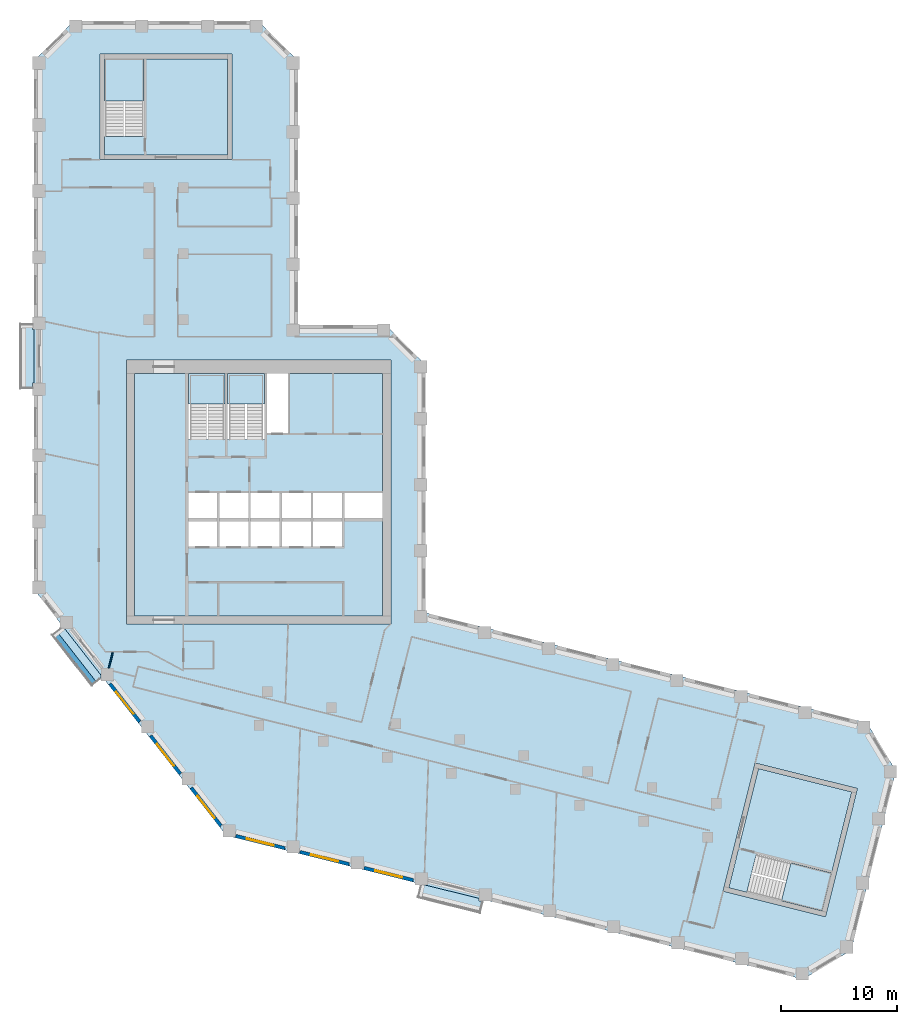
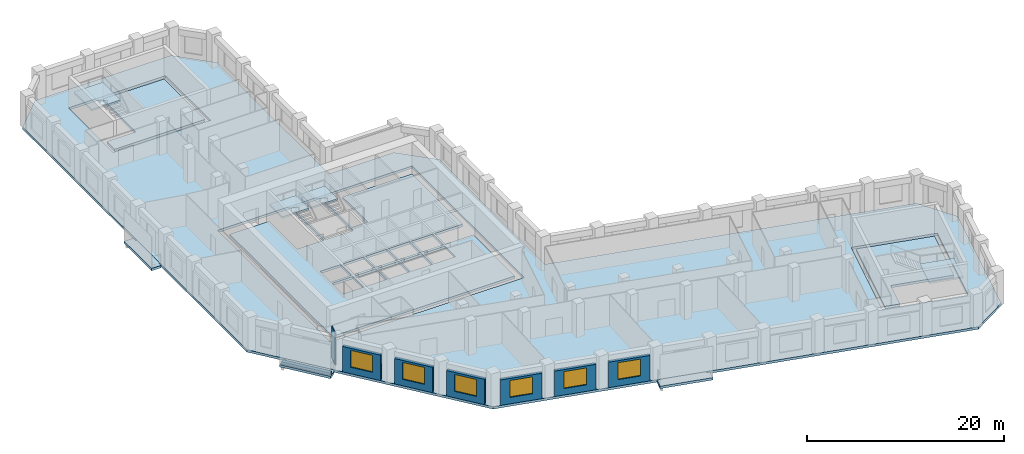
# One storey, part 2 of 10: 11 slabs, 8 walls, 6 windows, 6 openings, 4 elements without a shape of their own.
"""IFC4 building model written with IfcOpenShell, lengths in metres."""

from ifc_helpers import new_model, si_unit, direction, frame, frame_2d, origin, place, context, subcontext, project, spatial, polyline, rectangle, outline, extrude, material, layer, layer_set, type_object, element, fill, aggregate, save


model = new_model("IFC4")

# Units and contexts
model_context = context("Model", 3, precision=1e-05, world=origin(), true_north=direction((0.0, 1.0)))
body_context = subcontext(model_context, "Body", "Model", "MODEL_VIEW")
ifc_project = project(units=[si_unit("LENGTHUNIT", "METRE"), si_unit("AREAUNIT", "SQUARE_METRE"), si_unit("VOLUMEUNIT", "CUBIC_METRE"), si_unit("PLANEANGLEUNIT", "RADIAN"), si_unit("MASSUNIT", "GRAM", prefix="KILO")], contexts=[model_context])

# Site, building, storey
site_placement = place(None, origin())
site = spatial("IfcSite", under=ifc_project, at=site_placement, CompositionType="ELEMENT")
building_placement = place(site_placement, origin())
building = spatial("IfcBuilding", under=site, at=building_placement, Name="Meshkara Civic Tower", CompositionType="ELEMENT")
storey_placement = place(building_placement, frame((0.0, 0.0, 255.0)))
storey = spatial("IfcBuildingStorey", under=building, at=storey_placement, Name="L58", CompositionType="ELEMENT", Elevation=255.0)

# Slabs
ifc_material_1 = material(Name="Concrete C40", Category="concrete")
ifc_layer_1 = layer(ifc_material_1, 0.300048828125)
ifc_layer_set_1 = layer_set([ifc_layer_1], Name="BALCONY SLAB")
slab_type_1 = type_object("IfcSlabType", Name="BALCONY SLAB", PredefinedType="FLOOR", material=ifc_layer_set_1)
slab_1_placement = place(storey_placement, frame((0.0, 0.0, -0.300048828125)))
element("IfcSlab", 1, at=slab_1_placement, inside=storey, type_object=slab_type_1, Name="Balcony slab", PredefinedType="FLOOR", context=body_context, shape_type="SweptSolid", body=[
    extrude(outline(polyline([(-1.199951171875, 34.4150390625), (-1.199951171875, 39.9951171875), (-0.10009765625, 39.9951171875), (-0.10009765625, 39.5048828125), (0.0, 39.5048828125), (0.0, 34.905029296875), (-0.10009765625, 34.905029296875), (-0.10009765625, 34.4150390625), (-1.199951171875, 34.4150390625)])), origin(), (0.0, 0.0, 1.0), 0.300048828125),
])
slab_2_placement = place(storey_placement, frame((0.0, 0.0, -0.300048828125)))
element("IfcSlab", 2, at=slab_2_placement, inside=storey, type_object=slab_type_1, Name="Balcony slab", PredefinedType="FLOOR", context=body_context, shape_type="SweptSolid", body=[
    extrude(outline(polyline([(4.986083984375, 8.76904296875), (1.551025390625, 13.166015625), (2.263916015625, 13.722900390625), (2.263916015625, 13.678955078125), (2.673095703125, 13.678955078125), (5.77294921875, 9.7109375), (5.77294921875, 9.383056640625), (4.986083984375, 8.76904296875)])), origin(), (0.0, 0.0, 1.0), 0.300048828125),
])
slab_3_placement = place(storey_placement, frame((0.0, 0.0, -0.300048828125)))
element("IfcSlab", 3, at=slab_3_placement, inside=storey, type_object=slab_type_1, Name="Balcony slab", PredefinedType="FLOOR", context=body_context, shape_type="SweptSolid", body=[
    extrude(outline(polyline([(38.51708984375, -10.840087890625), (33.10205078125, -9.489990234375), (33.367919921875, -8.425048828125), (33.791015625, -8.425048828125), (38.424072265625, -9.580078125), (38.424072265625, -9.802978515625), (38.77490234375, -9.802978515625), (38.51708984375, -10.840087890625)])), origin(), (0.0, 0.0, 1.0), 0.300048828125),
])
ifc_material_2 = material(Name="Concrete C40/50", Category="concrete")
ifc_layer_2 = layer(ifc_material_2, 0.300048828125)
ifc_layer_set_2 = layer_set([ifc_layer_2], Name="Core floor slab 300 C40/50")
slab_type_2 = type_object("IfcSlabType", Name="Core floor slab 300 C40/50", PredefinedType="FLOOR", material=ifc_layer_set_2)
slab_4_placement = place(storey_placement, frame((0.0, 0.0, -0.300048828125)))
element("IfcSlab", 4, at=slab_4_placement, inside=storey, type_object=slab_type_2, Name="Core floor K", PredefinedType="FLOOR", context=body_context, shape_type="SweptSolid", body=[
    extrude(outline(polyline([(8.699951171875, 35.699951171875), (13.35009765625, 35.699951171875), (13.35009765625, 30.00146484375), (16.5, 30.00146484375), (16.5, 35.699951171875), (16.699951171875, 35.699951171875), (16.699951171875, 30.00146484375), (19.89990234375, 30.00146484375), (19.89990234375, 35.699951171875), (20.10009765625, 35.699951171875), (20.10009765625, 30.574951171875), (21.925048828125, 30.574951171875), (21.925048828125, 35.699951171875), (30.10009765625, 35.699951171875), (30.10009765625, 25.39990234375), (26.800048828125, 25.39990234375), (26.800048828125, 23.25), (30.10009765625, 23.25), (30.10009765625, 14.800048828125), (8.699951171875, 14.800048828125), (8.699951171875, 35.699951171875)]), holes=[polyline([(15.800048828125, 22.949951171875), (13.35009765625, 22.949951171875), (13.35009765625, 20.800048828125), (15.800048828125, 20.800048828125), (15.800048828125, 22.949951171875)]), polyline([(16.0, 22.949951171875), (16.0, 20.800048828125), (18.5, 20.800048828125), (18.5, 22.949951171875), (16.0, 22.949951171875)]), polyline([(18.699951171875, 22.949951171875), (18.699951171875, 20.800048828125), (21.199951171875, 20.800048828125), (21.199951171875, 22.949951171875), (18.699951171875, 22.949951171875)]), polyline([(15.800048828125, 23.25), (15.800048828125, 25.39990234375), (13.35009765625, 25.39990234375), (13.35009765625, 23.25), (15.800048828125, 23.25)]), polyline([(16.0, 25.39990234375), (16.0, 23.25), (18.5, 23.25), (18.5, 25.39990234375), (16.0, 25.39990234375)]), polyline([(23.89990234375, 20.800048828125), (23.89990234375, 22.949951171875), (21.39990234375, 22.949951171875), (21.39990234375, 20.800048828125), (23.89990234375, 20.800048828125)]), polyline([(24.10009765625, 20.800048828125), (26.60009765625, 20.800048828125), (26.60009765625, 22.949951171875), (24.10009765625, 22.949951171875), (24.10009765625, 20.800048828125)]), polyline([(18.699951171875, 25.39990234375), (18.699951171875, 23.25), (21.199951171875, 23.25), (21.199951171875, 25.39990234375), (18.699951171875, 25.39990234375)]), polyline([(21.39990234375, 23.25), (23.89990234375, 23.25), (23.89990234375, 25.39990234375), (21.39990234375, 25.39990234375), (21.39990234375, 23.25)]), polyline([(24.10009765625, 23.25), (26.60009765625, 23.25), (26.60009765625, 25.39990234375), (24.10009765625, 25.39990234375), (24.10009765625, 23.25)])]), origin(), (0.0, 0.0, 1.0), 0.300048828125),
])
slab_5_placement = place(storey_placement, frame((0.0, 0.0, -0.300048828125)))
element("IfcSlab", 5, at=slab_5_placement, inside=storey, type_object=slab_type_2, Name="Core floor EA", PredefinedType="FLOOR", context=body_context, shape_type="SweptSolid", body=[
    extrude(outline(polyline([(16.699951171875, 54.570068359375), (16.699951171875, 62.8701171875), (9.5, 62.8701171875), (9.5, 56.17138671875), (6.10009765625, 56.17138671875), (6.10009765625, 54.570068359375), (16.699951171875, 54.570068359375)])), origin(), (0.0, 0.0, 1.0), 0.300048828125),
])
slab_6_placement = place(storey_placement, frame((0.0, 0.0, -0.300048828125)))
element("IfcSlab", 6, at=slab_6_placement, inside=storey, type_object=slab_type_2, Name="Core floor EB", PredefinedType="FLOOR", context=body_context, shape_type="SweptSolid", body=[
    extrude(outline(polyline([(62.519775390625, 1.623291015625), (70.5732421875, -0.384765625), (68.83154296875, -7.370849609375), (62.33203125, -5.750244140625), (61.50927734375, -9.04931640625), (59.95556640625, -8.661865234375), (62.519775390625, 1.623291015625)])), origin(), (0.0, 0.0, 1.0), 0.300048828125),
])

# Stair, slab
ifc_material_3 = material(Name="Precast concrete C40/50", Category="concrete")
stair_type_1 = type_object("IfcStairType", Name="Exit stair half-turn 24 risers precast", PredefinedType="HALF_TURN_STAIR", material=ifc_material_3)
stair_1_placement = place(storey_placement, origin())
stair_1 = element("IfcStair", 7, at=stair_1_placement, inside=storey, type_object=stair_type_1, Name="L58 exit stair 1", PredefinedType="HALF_TURN_STAIR")
ifc_material_4 = material(Name="Precast concrete C40/50", Category="concrete")
ifc_layer_3 = layer(ifc_material_4, 0.199951171875)
ifc_layer_set_3 = layer_set([ifc_layer_3], Name="Exit stair landing 200")
slab_type_3 = type_object("IfcSlabType", Name="Exit stair landing 200", PredefinedType="LANDING", material=ifc_layer_set_3)
slab_7_placement = place(storey_placement, frame((0.0, 0.0, 1.89990234375)))
slab_7 = element("IfcSlab", 8, at=slab_7_placement, type_object=slab_type_3, Name="ST1 landing 1", PredefinedType="LANDING", context=body_context, shape_type="SweptSolid", body=[
    extrude(outline(polyline([(16.5, 33.07861328125), (16.5, 35.699951171875), (13.35009765625, 35.699951171875), (13.35009765625, 33.07861328125), (16.5, 33.07861328125)])), origin(), (0.0, 0.0, 1.0), 0.2001953125),
])
aggregate(stair_1, [slab_7])

stair_2_placement = place(storey_placement, origin())
stair_2 = element("IfcStair", 9, at=stair_2_placement, inside=storey, type_object=stair_type_1, Name="L58 exit stair 2", PredefinedType="HALF_TURN_STAIR")
slab_8_placement = place(storey_placement, frame((0.0, 0.0, 1.89990234375)))
slab_8 = element("IfcSlab", 10, at=slab_8_placement, type_object=slab_type_3, Name="ST2 landing 1", PredefinedType="LANDING", context=body_context, shape_type="SweptSolid", body=[
    extrude(outline(polyline([(19.89990234375, 33.07861328125), (19.89990234375, 35.699951171875), (16.699951171875, 35.699951171875), (16.699951171875, 33.07861328125), (19.89990234375, 33.07861328125)])), origin(), (0.0, 0.0, 1.0), 0.2001953125),
])
aggregate(stair_2, [slab_8])

ifc_material_5 = material(Name="Precast concrete C40/50", Category="concrete")
stair_type_2 = type_object("IfcStairType", Name="Exit stair half-turn 24 risers 1600 precast", PredefinedType="HALF_TURN_STAIR", material=ifc_material_5)
stair_3_placement = place(storey_placement, origin())
stair_3 = element("IfcStair", 11, at=stair_3_placement, inside=storey, type_object=stair_type_2, Name="L58 exit stair A from L50", PredefinedType="HALF_TURN_STAIR")
slab_9_placement = place(storey_placement, frame((0.0, 0.0, 1.89990234375)))
slab_9 = element("IfcSlab", 12, at=slab_9_placement, type_object=slab_type_3, Name="ESA4 landing 1", PredefinedType="LANDING", context=body_context, shape_type="SweptSolid", body=[
    extrude(outline(polyline([(9.5, 59.24853515625), (9.5, 62.8701171875), (6.10009765625, 62.8701171875), (6.10009765625, 59.24853515625), (9.5, 59.24853515625)])), origin(), (0.0, 0.0, 1.0), 0.2001953125),
])
aggregate(stair_3, [slab_9])

stair_4_placement = place(storey_placement, origin())
stair_4 = element("IfcStair", 13, at=stair_4_placement, inside=storey, type_object=stair_type_2, Name="L58 exit stair B from L50", PredefinedType="HALF_TURN_STAIR")
slab_10_placement = place(storey_placement, frame((0.0, 0.0, 1.89990234375)))
slab_10 = element("IfcSlab", 14, at=slab_10_placement, type_object=slab_type_3, Name="ESB4 landing 1", PredefinedType="LANDING", context=body_context, shape_type="SweptSolid", body=[
    extrude(outline(polyline([(64.49462890625, -9.794677734375), (68.0087890625, -10.67138671875), (68.83203125, -7.371337890625), (65.318115234375, -6.49462890625), (64.49462890625, -9.794677734375)])), origin(), (0.0, 0.0, 1.0), 0.2001953125),
])
aggregate(stair_4, [slab_10])

# Slab
ifc_material_6 = material(Name="Concrete C50", Category="concrete")
ifc_layer_4 = layer(ifc_material_6, 0.300048828125)
ifc_layer_set_4 = layer_set([ifc_layer_4], Name="Post-tensioned flat slab 300 C50")
slab_type_4 = type_object("IfcSlabType", Name="Post-tensioned flat slab 300 C50", PredefinedType="FLOOR", material=ifc_layer_set_4)
slab_11_placement = place(storey_placement, frame((0.0, 0.0, -0.300048828125)))
element("IfcSlab", 15, at=slab_11_placement, inside=storey, type_object=slab_type_4, Name="Post-tensioned flat slab L58", PredefinedType="FLOOR", context=body_context, shape_type="SweptSolid", body=[
    extrude(outline(polyline([(70.513916015625, -14.055908203125), (66.367919921875, -16.547119140625), (16.592041015625, -4.136962890625), (0.0, 17.10009765625), (0.0, 62.699951171875), (3.419921875, 66.1201171875), (19.3798828125, 66.1201171875), (22.800048828125, 62.699951171875), (22.800048828125, 39.89990234375), (30.3798828125, 39.89990234375), (33.800048828125, 36.47998046875), (33.800048828125, 15.071044921875), (71.884033203125, 5.574951171875), (74.375, 1.429931640625), (70.513916015625, -14.055908203125)]), holes=[polyline([(68.300048828125, -11.155029296875), (71.05810546875, -0.093017578125), (62.22802734375, 2.10791015625), (59.470947265625, -8.952880859375), (68.300048828125, -11.155029296875)]), polyline([(8.0, 14.10009765625), (30.800048828125, 14.10009765625), (30.800048828125, 36.89990234375), (8.0, 36.89990234375), (8.0, 14.10009765625)]), polyline([(5.699951171875, 63.27001953125), (5.699951171875, 54.169921875), (17.10009765625, 54.169921875), (17.10009765625, 63.27001953125), (5.699951171875, 63.27001953125)])]), origin(), (0.0, 0.0, 1.0), 0.300048828125),
])

# Wall, opening, window
ifc_material_7 = material(Name="Insulated infill panel with bronze anodised aluminium cladding", Category="aluminium")
ifc_layer_5 = layer(ifc_material_7, 0.300048828125)
ifc_layer_set_5 = layer_set([ifc_layer_5], Name="EXTERNAL INFILL WALL 300")
wall_type_1 = type_object("IfcWallType", Name="EXTERNAL INFILL WALL 300", PredefinedType="SOLIDWALL", material=ifc_layer_set_5)
wall_1_placement = place(storey_placement, frame((6.56201171875, 8.944091796875, 0.0), z_axis=(0.0, 0.0, 1.0), x_axis=(0.615699893917, -0.787980736205, 0.0)))
wall_1 = element("IfcWall", 16, at=wall_1_placement, inside=storey, type_object=wall_type_1, Name="External wall", PredefinedType="SOLIDWALL", context=body_context, shape_type="SweptSolid", body=[
    extrude(rectangle(XDim=4.156494140625, YDim=0.300048828125, at=frame_2d((2.078125, 0.0))), origin(), (0.0, 0.0, 1.0), 3.14990234375),
])
opening_1_placement = place(wall_1_placement, frame((0.8779296875, 0.0, 0.800048828125)))
opening_1 = element("IfcOpeningElement", 17, at=opening_1_placement, cuts=wall_1, Name="Opening W7", PredefinedType="OPENING", context=body_context, shape_type="SweptSolid", body=[
    extrude(rectangle(XDim=2.39990234375, YDim=2.10009765625, at=frame_2d((1.199951171875, 1.050048828125))), frame((0.0, 0.159912109375, 0.0), z_axis=(0.0, -1.0, 0.0), x_axis=(1.0, 0.0, 0.0)), (0.0, 0.0, 1.0), 0.320068359375),
])
ifc_material_8 = material(Name="Tinted double glazing", Category="glass")
window_type = type_object("IfcWindowType", Name="WINDOW 2400x2100", PartitioningType="DOUBLE_PANEL_VERTICAL", PredefinedType="WINDOW", material=ifc_material_8)
window_1_placement = place(opening_1_placement, origin())
window_1 = element("IfcWindow", 18, at=window_1_placement, inside=storey, type_object=window_type, Name="Window", OverallHeight=2.10009765625, OverallWidth=2.39990234375, PartitioningType="DOUBLE_PANEL_VERTICAL", PredefinedType="WINDOW", context=body_context, shape_type="SweptSolid", body=[
    extrude(rectangle(XDim=2.39990234375, YDim=2.10009765625, at=frame_2d((1.199951171875, 1.050048828125))), frame((0.0, 0.030029296875, 0.0), z_axis=(0.0, -1.0, 0.0), x_axis=(1.0, 0.0, 0.0)), (0.0, 0.0, 1.0), 0.06005859375),
])
fill(opening_1, window_1)

wall_2_placement = place(storey_placement, frame((10.072021484375, 4.451904296875, 0.0), z_axis=(0.0, 0.0, 1.0), x_axis=(0.615660006568, -0.788011901124, 0.0)))
wall_2 = element("IfcWall", 19, at=wall_2_placement, inside=storey, type_object=wall_type_1, Name="External wall", PredefinedType="SOLIDWALL", context=body_context, shape_type="SweptSolid", body=[
    extrude(rectangle(XDim=4.15478515625, YDim=0.300048828125, at=frame_2d((2.077392578125, 0.0))), origin(), (0.0, 0.0, 1.0), 3.14990234375),
])
opening_2_placement = place(wall_2_placement, frame((0.8779296875, 0.0, 0.800048828125)))
opening_2 = element("IfcOpeningElement", 20, at=opening_2_placement, cuts=wall_2, Name="Opening W7", PredefinedType="OPENING", context=body_context, shape_type="SweptSolid", body=[
    extrude(rectangle(XDim=2.39990234375, YDim=2.10009765625, at=frame_2d((1.199951171875, 1.050048828125))), frame((0.0, 0.159912109375, 0.0), z_axis=(0.0, -1.0, 0.0), x_axis=(1.0, 0.0, 0.0)), (0.0, 0.0, 1.0), 0.320068359375),
])
window_2_placement = place(opening_2_placement, origin())
window_2 = element("IfcWindow", 21, at=window_2_placement, inside=storey, type_object=window_type, Name="Window", OverallHeight=2.10009765625, OverallWidth=2.39990234375, PartitioningType="DOUBLE_PANEL_VERTICAL", PredefinedType="WINDOW", context=body_context, shape_type="SweptSolid", body=[
    extrude(rectangle(XDim=2.39990234375, YDim=2.10009765625, at=frame_2d((1.199951171875, 1.050048828125))), frame((0.0, 0.030029296875, 0.0), z_axis=(0.0, -1.0, 0.0), x_axis=(1.0, 0.0, 0.0)), (0.0, 0.0, 1.0), 0.06005859375),
])
fill(opening_2, window_2)

wall_3_placement = place(storey_placement, frame((13.5810546875, -0.0390625, 0.0), z_axis=(0.0, 0.0, 1.0), x_axis=(0.615545986363, -0.788100969846, 0.0)))
wall_3 = element("IfcWall", 22, at=wall_3_placement, inside=storey, type_object=wall_type_1, Name="External wall", PredefinedType="SOLIDWALL", context=body_context, shape_type="SweptSolid", body=[
    extrude(rectangle(XDim=4.155517578125, YDim=0.300048828125, at=frame_2d((2.07763671875, 0.0))), origin(), (0.0, 0.0, 1.0), 3.14990234375),
])
opening_3_placement = place(wall_3_placement, frame((0.8779296875, 0.0, 0.800048828125)))
opening_3 = element("IfcOpeningElement", 23, at=opening_3_placement, cuts=wall_3, Name="Opening W7", PredefinedType="OPENING", context=body_context, shape_type="SweptSolid", body=[
    extrude(rectangle(XDim=2.39990234375, YDim=2.10009765625, at=frame_2d((1.199951171875, 1.050048828125))), frame((0.0, 0.159912109375, 0.0), z_axis=(0.0, -1.0, 0.0), x_axis=(1.0, 0.0, 0.0)), (0.0, 0.0, 1.0), 0.320068359375),
])
window_3_placement = place(opening_3_placement, origin())
window_3 = element("IfcWindow", 24, at=window_3_placement, inside=storey, type_object=window_type, Name="Window", OverallHeight=2.10009765625, OverallWidth=2.39990234375, PartitioningType="DOUBLE_PANEL_VERTICAL", PredefinedType="WINDOW", context=body_context, shape_type="SweptSolid", body=[
    extrude(rectangle(XDim=2.39990234375, YDim=2.10009765625, at=frame_2d((1.199951171875, 1.050048828125))), frame((0.0, 0.030029296875, 0.0), z_axis=(0.0, -1.0, 0.0), x_axis=(1.0, 0.0, 0.0)), (0.0, 0.0, 1.0), 0.06005859375),
])
fill(opening_3, window_3)

wall_4_placement = place(storey_placement, frame((17.425048828125, -4.18994140625, 0.0), z_axis=(0.0, 0.0, 1.0), x_axis=(0.970270592847, -0.242022677978, 0.0)))
wall_4 = element("IfcWall", 25, at=wall_4_placement, inside=storey, type_object=wall_type_1, Name="External wall", PredefinedType="SOLIDWALL", context=body_context, shape_type="SweptSolid", body=[
    extrude(rectangle(XDim=4.367919921875, YDim=0.300048828125, at=frame_2d((2.18408203125, 0.0))), origin(), (0.0, 0.0, 1.0), 3.14990234375),
])
opening_4_placement = place(wall_4_placement, frame((0.98291015625, 0.0, 0.800048828125)))
opening_4 = element("IfcOpeningElement", 26, at=opening_4_placement, cuts=wall_4, Name="Opening W7", PredefinedType="OPENING", context=body_context, shape_type="SweptSolid", body=[
    extrude(rectangle(XDim=2.39990234375, YDim=2.10009765625, at=frame_2d((1.199951171875, 1.050048828125))), frame((0.0, 0.159912109375, 0.0), z_axis=(0.0, -1.0, 0.0), x_axis=(1.0, 0.0, 0.0)), (0.0, 0.0, 1.0), 0.320068359375),
])
window_4_placement = place(opening_4_placement, origin())
window_4 = element("IfcWindow", 27, at=window_4_placement, inside=storey, type_object=window_type, Name="Window", OverallHeight=2.10009765625, OverallWidth=2.39990234375, PartitioningType="DOUBLE_PANEL_VERTICAL", PredefinedType="WINDOW", context=body_context, shape_type="SweptSolid", body=[
    extrude(rectangle(XDim=2.39990234375, YDim=2.10009765625, at=frame_2d((1.199951171875, 1.050048828125))), frame((0.0, 0.030029296875, 0.0), z_axis=(0.0, -1.0, 0.0), x_axis=(1.0, 0.0, 0.0)), (0.0, 0.0, 1.0), 0.06005859375),
])
fill(opening_4, window_4)

wall_5_placement = place(storey_placement, frame((22.9560546875, -5.569091796875, 0.0), z_axis=(0.0, 0.0, 1.0), x_axis=(0.970323116569, -0.241812012628, 0.0)))
wall_5 = element("IfcWall", 28, at=wall_5_placement, inside=storey, type_object=wall_type_1, Name="External wall", PredefinedType="SOLIDWALL", context=body_context, shape_type="SweptSolid", body=[
    extrude(rectangle(XDim=4.36669921875, YDim=0.300048828125, at=frame_2d((2.183349609375, 0.0))), origin(), (0.0, 0.0, 1.0), 3.14990234375),
])
opening_5_placement = place(wall_5_placement, frame((0.98291015625, 0.0, 0.800048828125)))
opening_5 = element("IfcOpeningElement", 29, at=opening_5_placement, cuts=wall_5, Name="Opening W7", PredefinedType="OPENING", context=body_context, shape_type="SweptSolid", body=[
    extrude(rectangle(XDim=2.39990234375, YDim=2.10009765625, at=frame_2d((1.199951171875, 1.050048828125))), frame((0.0, 0.159912109375, 0.0), z_axis=(0.0, -1.0, 0.0), x_axis=(1.0, 0.0, 0.0)), (0.0, 0.0, 1.0), 0.320068359375),
])
window_5_placement = place(opening_5_placement, origin())
window_5 = element("IfcWindow", 30, at=window_5_placement, inside=storey, type_object=window_type, Name="Window", OverallHeight=2.10009765625, OverallWidth=2.39990234375, PartitioningType="DOUBLE_PANEL_VERTICAL", PredefinedType="WINDOW", context=body_context, shape_type="SweptSolid", body=[
    extrude(rectangle(XDim=2.39990234375, YDim=2.10009765625, at=frame_2d((1.199951171875, 1.050048828125))), frame((0.0, 0.030029296875, 0.0), z_axis=(0.0, -1.0, 0.0), x_axis=(1.0, 0.0, 0.0)), (0.0, 0.0, 1.0), 0.06005859375),
])
fill(opening_5, window_5)

wall_6_placement = place(storey_placement, frame((28.486083984375, -6.947998046875, 0.0), z_axis=(0.0, 0.0, 1.0), x_axis=(0.970336189295, -0.241759549438, 0.0)))
wall_6 = element("IfcWall", 31, at=wall_6_placement, inside=storey, type_object=wall_type_1, Name="External wall", PredefinedType="SOLIDWALL", context=body_context, shape_type="SweptSolid", body=[
    extrude(rectangle(XDim=4.36767578125, YDim=0.300048828125, at=frame_2d((2.183837890625, 0.0))), origin(), (0.0, 0.0, 1.0), 3.14990234375),
])
opening_6_placement = place(wall_6_placement, frame((0.98291015625, 0.0, 0.800048828125)))
opening_6 = element("IfcOpeningElement", 32, at=opening_6_placement, cuts=wall_6, Name="Opening W7", PredefinedType="OPENING", context=body_context, shape_type="SweptSolid", body=[
    extrude(rectangle(XDim=2.39990234375, YDim=2.10009765625, at=frame_2d((1.199951171875, 1.050048828125))), frame((0.0, 0.159912109375, 0.0), z_axis=(0.0, -1.0, 0.0), x_axis=(1.0, 0.0, 0.0)), (0.0, 0.0, 1.0), 0.320068359375),
])
window_6_placement = place(opening_6_placement, origin())
window_6 = element("IfcWindow", 33, at=window_6_placement, inside=storey, type_object=window_type, Name="Window", OverallHeight=2.10009765625, OverallWidth=2.39990234375, PartitioningType="DOUBLE_PANEL_VERTICAL", PredefinedType="WINDOW", context=body_context, shape_type="SweptSolid", body=[
    extrude(rectangle(XDim=2.39990234375, YDim=2.10009765625, at=frame_2d((1.199951171875, 1.050048828125))), frame((0.0, 0.030029296875, 0.0), z_axis=(0.0, -1.0, 0.0), x_axis=(1.0, 0.0, 0.0)), (0.0, 0.0, 1.0), 0.06005859375),
])
fill(opening_6, window_6)

# Walls
ifc_material_9 = material(Name="Concrete C40", Category="concrete")
ifc_layer_6 = layer(ifc_material_9, 0.39990234375)
ifc_layer_set_6 = layer_set([ifc_layer_6], Name="PLANTER TRAY")
wall_type_2 = type_object("IfcWallType", Name="PLANTER TRAY", PredefinedType="SOLIDWALL", material=ifc_layer_set_6)
wall_7_placement = place(storey_placement, frame((1.87109375, 13.27587890625, 0.0), z_axis=(0.0, 0.0, 1.0), x_axis=(0.615632551218, -0.788033350741, 0.0)))
element("IfcWall", 34, at=wall_7_placement, inside=storey, type_object=wall_type_2, Name="Planter", PredefinedType="SOLIDWALL", context=body_context, shape_type="SweptSolid", body=[
    extrude(rectangle(XDim=5.360107421875, YDim=0.39990234375, at=frame_2d((2.68017578125, 0.0))), origin(), (0.0, 0.0, 1.0), 0.300048828125),
])
ifc_material_10 = material(Name="Partition 100")
ifc_layer_7 = layer(ifc_material_10, 0.10009765625)
ifc_layer_set_7 = layer_set([ifc_layer_7], Name="Partition 100")
wall_type_3 = type_object("IfcWallType", Name="Partition 100", PredefinedType="PARTITIONING", material=ifc_layer_set_7)
wall_8_placement = place(storey_placement, frame((6.797119140625, 11.637939453125, 0.0), z_axis=(0.0, 0.0, 1.0), x_axis=(-0.242164268782, -0.970235263699, 0.0)))
element("IfcWall", 35, at=wall_8_placement, inside=storey, type_object=wall_type_3, Name="L58-W048", PredefinedType="PARTITIONING", context=body_context, shape_type="SweptSolid", body=[
    extrude(rectangle(XDim=1.392333984375, YDim=0.10009765625, at=frame_2d((0.6962890625, 0.0))), origin(), (0.0, 0.0, 1.0), 3.89990234375),
])

save(model, "model.ifc")
